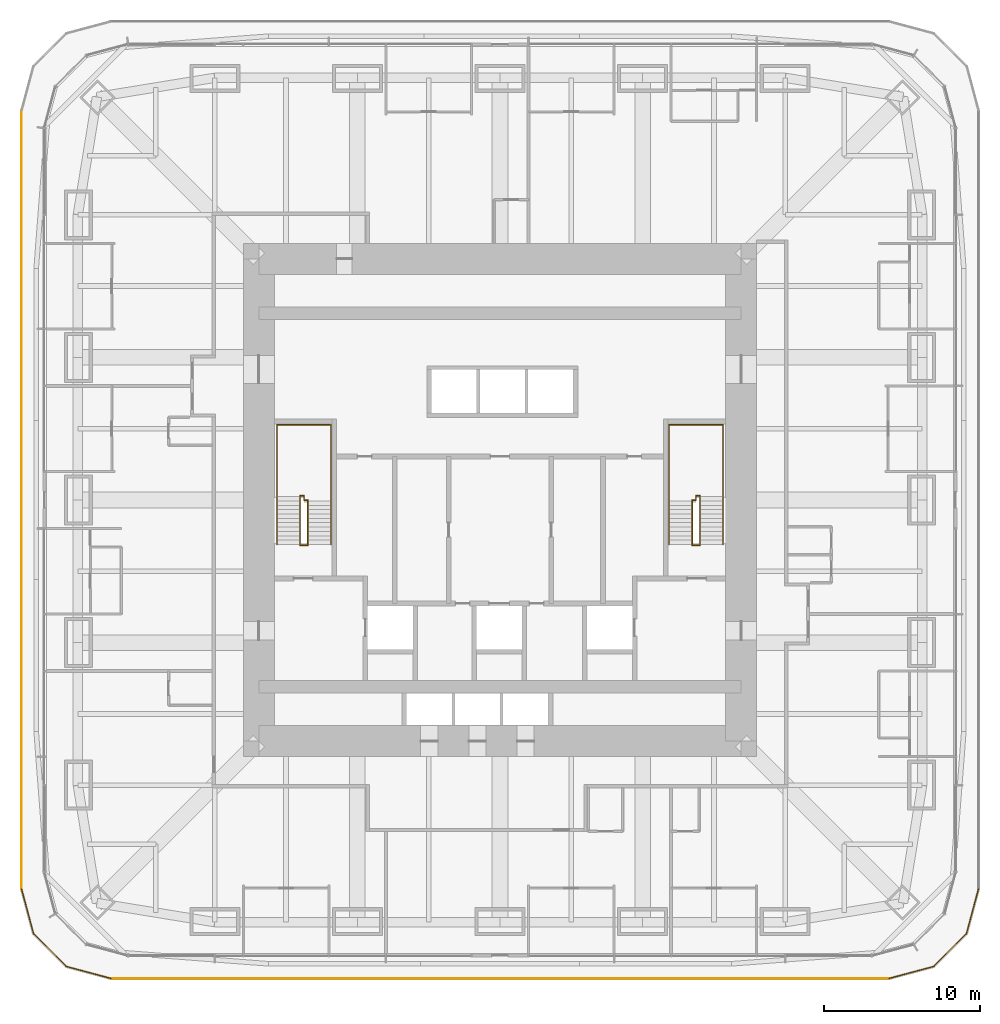
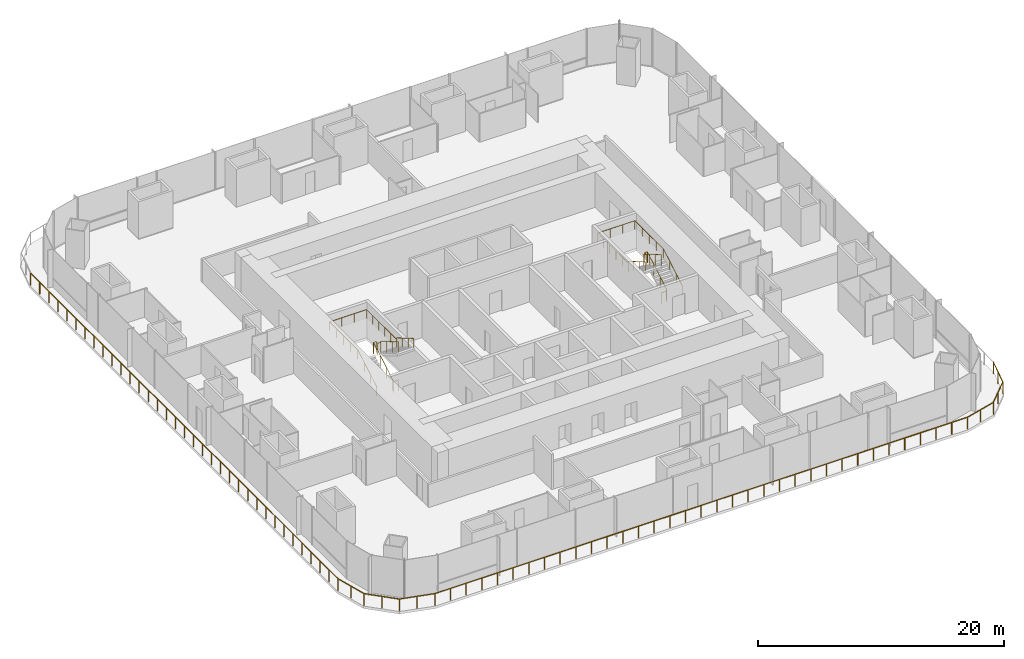
# One storey, part 15 of 16: 8 railings.
"""IFC4 building model written with IfcOpenShell, lengths in metres."""

from ifc_helpers import new_model, si_unit, direction, frame, origin, origin_2d, place, context, subcontext, project, spatial, circle, extrude, material, type_object, element, save


model = new_model("IFC4")

# Units and contexts
model_context = context("Model", 3, precision=1e-05, world=origin(), true_north=direction((0.0, 1.0)))
body_context = subcontext(model_context, "Body", "Model", "MODEL_VIEW")
ifc_project = project(units=[si_unit("LENGTHUNIT", "METRE"), si_unit("AREAUNIT", "SQUARE_METRE"), si_unit("VOLUMEUNIT", "CUBIC_METRE"), si_unit("PLANEANGLEUNIT", "RADIAN"), si_unit("MASSUNIT", "GRAM", prefix="KILO")], contexts=[model_context])

# Site, building, storey
site_placement = place(None, origin())
site = spatial("IfcSite", under=ifc_project, at=site_placement, CompositionType="ELEMENT")
building_placement = place(site_placement, origin())
building = spatial("IfcBuilding", under=site, at=building_placement, Name="Khuree Lantern Residences", CompositionType="ELEMENT")
storey_placement = place(building_placement, frame((0.0, 0.0, 107.25)))
storey = spatial("IfcBuildingStorey", under=building, at=storey_placement, Name="L26", CompositionType="ELEMENT", Elevation=107.25)

# Railings
ifc_material_1 = material(Name="Steel S355", Category="steel")
railing_type_1 = type_object("IfcRailingType", Name="STAIR GUARD G1 1100", PredefinedType="GUARDRAIL", material=ifc_material_1)
railing_1_placement = place(storey_placement, frame((-12.35009765625, -2.909912109375, 0.0)))
element("IfcRailing", 1, at=railing_1_placement, inside=storey, type_object=railing_type_1, Name="Stair ST1 guard", PredefinedType="GUARDRAIL", context=body_context, shape_type="SweptSolid", body=[
    extrude(circle(Radius=0.02392578125, at=origin_2d()), frame((0.0, 0.0, 1.076171875), z_axis=(-1.0, 0.0, 0.0), x_axis=(0.0, -1.0, 0.0)), (0.0, 0.0, 1.0), 0.5),
    extrude(circle(Radius=0.02392578125, at=origin_2d()), frame((-0.5, 0.0, 1.076171875), z_axis=(0.0, 0.292073035251, 0.95639601739), x_axis=(-1.0, 0.0, 0.0)), (0.0, 0.0, 1.0), 0.17041015625),
    extrude(circle(Radius=0.02392578125, at=origin_2d()), frame((-0.5, 0.0498046875, 1.2392578125), z_axis=(0.0, 0.864176135923, 0.503189433615), x_axis=(-1.0, 0.0, 0.0)), (0.0, 0.0, 1.0), 3.564208984375),
    extrude(circle(Radius=0.02392578125, at=origin_2d()), frame((-0.5, 3.1298828125, 3.03271484375), z_axis=(0.0, 1.0, 0.0), x_axis=(-1.0, 0.0, 0.0)), (0.0, 0.0, 1.0), 0.050048828125),
    extrude(circle(Radius=0.02392578125, at=origin_2d()), frame((-0.5, 3.179931640625, 3.03271484375), z_axis=(1.0, 0.0, 0.0), x_axis=(0.0, 1.0, 0.0)), (0.0, 0.0, 1.0), 0.25),
    extrude(circle(Radius=0.02392578125, at=origin_2d()), frame((-0.25, 3.179931640625, 3.03271484375), z_axis=(0.0, -1.0, 0.0), x_axis=(1.0, 0.0, 0.0)), (0.0, 0.0, 1.0), 0.280029296875),
    extrude(circle(Radius=0.02392578125, at=origin_2d()), frame((-0.25, 2.89990234375, 3.03271484375), z_axis=(1.0, 0.0, 0.0), x_axis=(0.0, 1.0, 0.0)), (0.0, 0.0, 1.0), 0.25),
    extrude(circle(Radius=0.02392578125, at=origin_2d()), frame((0.0, 2.89990234375, 3.03271484375), z_axis=(0.0, -0.293381807449, 0.955995353053), x_axis=(1.0, 0.0, 0.0)), (0.0, 0.0, 1.0), 0.170654296875),
    extrude(circle(Radius=0.02392578125, at=origin_2d()), frame((0.0, 2.849853515625, 3.19580078125), z_axis=(0.0, -0.864180358799, 0.503182181189), x_axis=(1.0, 0.0, 0.0)), (0.0, 0.0, 1.0), 3.240234375),
    extrude(circle(Radius=0.02099609375, at=origin_2d()), origin(), (0.0, 0.0, 1.0), 1.052001953125),
    extrude(circle(Radius=0.02099609375, at=origin_2d()), frame((-0.5, 0.0, 0.0)), (0.0, 0.0, 1.0), 1.052001953125),
    extrude(circle(Radius=0.02099609375, at=origin_2d()), frame((-0.5, 0.0498046875, 0.1630859375)), (0.0, 0.0, 1.0), 1.052001953125),
    extrude(circle(Radius=0.02099609375, at=origin_2d()), frame((-0.5, 1.076416015625, 0.760986328125)), (0.0, 0.0, 1.0), 1.052001953125),
    extrude(circle(Radius=0.02099609375, at=origin_2d()), frame((-0.5, 2.103271484375, 1.358642578125)), (0.0, 0.0, 1.0), 1.052001953125),
    extrude(circle(Radius=0.02099609375, at=origin_2d()), frame((-0.5, 3.1298828125, 1.95654296875)), (0.0, 0.0, 1.0), 1.052001953125),
    extrude(circle(Radius=0.02099609375, at=origin_2d()), frame((-0.5, 3.179931640625, 1.95654296875)), (0.0, 0.0, 1.0), 1.052001953125),
    extrude(circle(Radius=0.02099609375, at=origin_2d()), frame((-0.25, 3.179931640625, 1.95654296875)), (0.0, 0.0, 1.0), 1.052001953125),
    extrude(circle(Radius=0.02099609375, at=origin_2d()), frame((-0.25, 2.89990234375, 1.95654296875)), (0.0, 0.0, 1.0), 1.052001953125),
    extrude(circle(Radius=0.02099609375, at=origin_2d()), frame((0.0, 2.89990234375, 1.95654296875)), (0.0, 0.0, 1.0), 1.052001953125),
    extrude(circle(Radius=0.02099609375, at=origin_2d()), frame((0.0, 2.849853515625, 2.11962890625)), (0.0, 0.0, 1.0), 1.052001953125),
    extrude(circle(Radius=0.02099609375, at=origin_2d()), frame((0.0, 1.91650390625, 2.6630859375)), (0.0, 0.0, 1.0), 1.052001953125),
    extrude(circle(Radius=0.02099609375, at=origin_2d()), frame((0.0, 0.983154296875, 3.20654296875)), (0.0, 0.0, 1.0), 1.052001953125),
    extrude(circle(Radius=0.02099609375, at=origin_2d()), frame((0.0, 0.0498046875, 3.75)), (0.0, 0.0, 1.0), 1.052001953125),
])
railing_2_placement = place(storey_placement, frame((12.35009765625, -2.909912109375, 0.0)))
element("IfcRailing", 2, at=railing_2_placement, inside=storey, type_object=railing_type_1, Name="Stair ST2 guard", PredefinedType="GUARDRAIL", context=body_context, shape_type="SweptSolid", body=[
    extrude(circle(Radius=0.02392578125, at=origin_2d()), frame((0.0, 0.0, 1.076171875), z_axis=(1.0, 0.0, 0.0), x_axis=(0.0, 1.0, 0.0)), (0.0, 0.0, 1.0), 0.5),
    extrude(circle(Radius=0.02392578125, at=origin_2d()), frame((0.5, 0.0, 1.076171875), z_axis=(0.0, 0.292073035251, 0.95639601739), x_axis=(-1.0, 0.0, 0.0)), (0.0, 0.0, 1.0), 0.17041015625),
    extrude(circle(Radius=0.02392578125, at=origin_2d()), frame((0.5, 0.0498046875, 1.2392578125), z_axis=(0.0, 0.864176135923, 0.503189433615), x_axis=(-1.0, 0.0, 0.0)), (0.0, 0.0, 1.0), 3.564208984375),
    extrude(circle(Radius=0.02392578125, at=origin_2d()), frame((0.5, 3.1298828125, 3.03271484375), z_axis=(0.0, 1.0, 0.0), x_axis=(-1.0, 0.0, 0.0)), (0.0, 0.0, 1.0), 0.050048828125),
    extrude(circle(Radius=0.02392578125, at=origin_2d()), frame((0.5, 3.179931640625, 3.03271484375), z_axis=(-1.0, 0.0, 0.0), x_axis=(0.0, -1.0, 0.0)), (0.0, 0.0, 1.0), 0.25),
    extrude(circle(Radius=0.02392578125, at=origin_2d()), frame((0.25, 3.179931640625, 3.03271484375), z_axis=(0.0, -1.0, 0.0), x_axis=(1.0, 0.0, 0.0)), (0.0, 0.0, 1.0), 0.280029296875),
    extrude(circle(Radius=0.02392578125, at=origin_2d()), frame((0.25, 2.89990234375, 3.03271484375), z_axis=(-1.0, 0.0, 0.0), x_axis=(0.0, -1.0, 0.0)), (0.0, 0.0, 1.0), 0.25),
    extrude(circle(Radius=0.02392578125, at=origin_2d()), frame((0.0, 2.89990234375, 3.03271484375), z_axis=(0.0, -0.293381807449, 0.955995353053), x_axis=(1.0, 0.0, 0.0)), (0.0, 0.0, 1.0), 0.170654296875),
    extrude(circle(Radius=0.02392578125, at=origin_2d()), frame((0.0, 2.849853515625, 3.19580078125), z_axis=(0.0, -0.864180358799, 0.503182181189), x_axis=(1.0, 0.0, 0.0)), (0.0, 0.0, 1.0), 3.240234375),
    extrude(circle(Radius=0.02099609375, at=origin_2d()), origin(), (0.0, 0.0, 1.0), 1.052001953125),
    extrude(circle(Radius=0.02099609375, at=origin_2d()), frame((0.5, 0.0, 0.0)), (0.0, 0.0, 1.0), 1.052001953125),
    extrude(circle(Radius=0.02099609375, at=origin_2d()), frame((0.5, 0.0498046875, 0.1630859375)), (0.0, 0.0, 1.0), 1.052001953125),
    extrude(circle(Radius=0.02099609375, at=origin_2d()), frame((0.5, 1.076416015625, 0.760986328125)), (0.0, 0.0, 1.0), 1.052001953125),
    extrude(circle(Radius=0.02099609375, at=origin_2d()), frame((0.5, 2.103271484375, 1.358642578125)), (0.0, 0.0, 1.0), 1.052001953125),
    extrude(circle(Radius=0.02099609375, at=origin_2d()), frame((0.5, 3.1298828125, 1.95654296875)), (0.0, 0.0, 1.0), 1.052001953125),
    extrude(circle(Radius=0.02099609375, at=origin_2d()), frame((0.5, 3.179931640625, 1.95654296875)), (0.0, 0.0, 1.0), 1.052001953125),
    extrude(circle(Radius=0.02099609375, at=origin_2d()), frame((0.25, 3.179931640625, 1.95654296875)), (0.0, 0.0, 1.0), 1.052001953125),
    extrude(circle(Radius=0.02099609375, at=origin_2d()), frame((0.25, 2.89990234375, 1.95654296875)), (0.0, 0.0, 1.0), 1.052001953125),
    extrude(circle(Radius=0.02099609375, at=origin_2d()), frame((0.0, 2.89990234375, 1.95654296875)), (0.0, 0.0, 1.0), 1.052001953125),
    extrude(circle(Radius=0.02099609375, at=origin_2d()), frame((0.0, 2.849853515625, 2.11962890625)), (0.0, 0.0, 1.0), 1.052001953125),
    extrude(circle(Radius=0.02099609375, at=origin_2d()), frame((0.0, 1.91650390625, 2.6630859375)), (0.0, 0.0, 1.0), 1.052001953125),
    extrude(circle(Radius=0.02099609375, at=origin_2d()), frame((0.0, 0.983154296875, 3.20654296875)), (0.0, 0.0, 1.0), 1.052001953125),
    extrude(circle(Radius=0.02099609375, at=origin_2d()), frame((0.0, 0.0498046875, 3.75)), (0.0, 0.0, 1.0), 1.052001953125),
])
railing_type_2 = type_object("IfcRailingType", Name="STAIR HANDRAIL H1 900", PredefinedType="HANDRAIL", material=ifc_material_1)
railing_3_placement = place(storey_placement, frame((-14.340087890625, -2.860107421875, 0.1630859375)))
element("IfcRailing", 3, at=railing_3_placement, inside=storey, type_object=railing_type_2, Name="Stair ST1 handrail", PredefinedType="HANDRAIL", context=body_context, shape_type="SweptSolid", body=[
    extrude(circle(Radius=0.02392578125, at=origin_2d()), frame((0.0, 0.0, 0.8759765625), z_axis=(0.0, 0.864176135923, 0.503189433615), x_axis=(-1.0, 0.0, 0.0)), (0.0, 0.0, 1.0), 3.564208984375),
    extrude(circle(Radius=0.02392578125, at=origin_2d()), frame((0.0, 3.080078125, 2.66943359375), z_axis=(0.0, 1.0, 0.0), x_axis=(-1.0, 0.0, 0.0)), (0.0, 0.0, 1.0), 4.6201171875),
    extrude(circle(Radius=0.02392578125, at=origin_2d()), frame((0.0, 7.7001953125, 2.66943359375), z_axis=(1.0, 0.0, 0.0), x_axis=(0.0, 1.0, 0.0)), (0.0, 0.0, 1.0), 3.47998046875),
    extrude(circle(Radius=0.02392578125, at=origin_2d()), frame((3.47998046875, 7.7001953125, 2.66943359375), z_axis=(0.0, -1.0, 0.0), x_axis=(1.0, 0.0, 0.0)), (0.0, 0.0, 1.0), 4.900146484375),
    extrude(circle(Radius=0.02392578125, at=origin_2d()), frame((3.47998046875, 2.800048828125, 2.66943359375), z_axis=(0.0, 0.0, 1.0), x_axis=(1.0, 0.0, 0.0)), (0.0, 0.0, 1.0), 0.1630859375),
    extrude(circle(Radius=0.02392578125, at=origin_2d()), frame((3.47998046875, 2.800048828125, 2.83251953125), z_axis=(0.0, -0.864180358799, 0.503182181189), x_axis=(1.0, 0.0, 0.0)), (0.0, 0.0, 1.0), 3.240234375),
    extrude(circle(Radius=0.02099609375, at=origin_2d()), origin(), (0.0, 0.0, 1.0), 0.851806640625),
    extrude(circle(Radius=0.02099609375, at=origin_2d()), frame((0.0, 1.026611328125, 0.597900390625)), (0.0, 0.0, 1.0), 0.851806640625),
    extrude(circle(Radius=0.02099609375, at=origin_2d()), frame((0.0, 2.053466796875, 1.195556640625)), (0.0, 0.0, 1.0), 0.851806640625),
    extrude(circle(Radius=0.02099609375, at=origin_2d()), frame((0.0, 3.080078125, 1.79345703125)), (0.0, 0.0, 1.0), 0.851806640625),
    extrude(circle(Radius=0.02099609375, at=origin_2d()), frame((0.0, 4.235107421875, 1.79345703125)), (0.0, 0.0, 1.0), 0.851806640625),
    extrude(circle(Radius=0.02099609375, at=origin_2d()), frame((0.0, 5.39013671875, 1.79345703125)), (0.0, 0.0, 1.0), 0.851806640625),
    extrude(circle(Radius=0.02099609375, at=origin_2d()), frame((0.0, 6.545166015625, 1.79345703125)), (0.0, 0.0, 1.0), 0.851806640625),
    extrude(circle(Radius=0.02099609375, at=origin_2d()), frame((0.0, 7.7001953125, 1.79345703125)), (0.0, 0.0, 1.0), 0.851806640625),
    extrude(circle(Radius=0.02099609375, at=origin_2d()), frame((1.159912109375, 7.7001953125, 1.79345703125)), (0.0, 0.0, 1.0), 0.851806640625),
    extrude(circle(Radius=0.02099609375, at=origin_2d()), frame((2.320068359375, 7.7001953125, 1.79345703125)), (0.0, 0.0, 1.0), 0.851806640625),
    extrude(circle(Radius=0.02099609375, at=origin_2d()), frame((3.47998046875, 7.7001953125, 1.79345703125)), (0.0, 0.0, 1.0), 0.851806640625),
    extrude(circle(Radius=0.02099609375, at=origin_2d()), frame((3.47998046875, 6.72021484375, 1.79345703125)), (0.0, 0.0, 1.0), 0.851806640625),
    extrude(circle(Radius=0.02099609375, at=origin_2d()), frame((3.47998046875, 5.740234375, 1.79345703125)), (0.0, 0.0, 1.0), 0.851806640625),
    extrude(circle(Radius=0.02099609375, at=origin_2d()), frame((3.47998046875, 4.760009765625, 1.79345703125)), (0.0, 0.0, 1.0), 0.851806640625),
    extrude(circle(Radius=0.02099609375, at=origin_2d()), frame((3.47998046875, 3.780029296875, 1.79345703125)), (0.0, 0.0, 1.0), 0.851806640625),
    extrude(circle(Radius=0.02099609375, at=origin_2d()), frame((3.47998046875, 2.800048828125, 1.79345703125)), (0.0, 0.0, 1.0), 0.851806640625),
    extrude(circle(Radius=0.02099609375, at=origin_2d()), frame((3.47998046875, 2.800048828125, 1.95654296875)), (0.0, 0.0, 1.0), 0.851806640625),
    extrude(circle(Radius=0.02099609375, at=origin_2d()), frame((3.47998046875, 1.86669921875, 2.5)), (0.0, 0.0, 1.0), 0.851806640625),
    extrude(circle(Radius=0.02099609375, at=origin_2d()), frame((3.47998046875, 0.933349609375, 3.04345703125)), (0.0, 0.0, 1.0), 0.851806640625),
    extrude(circle(Radius=0.02099609375, at=origin_2d()), frame((3.47998046875, 0.0, 3.5869140625)), (0.0, 0.0, 1.0), 0.851806640625),
])
railing_4_placement = place(storey_placement, frame((14.340087890625, -2.860107421875, 0.1630859375)))
element("IfcRailing", 4, at=railing_4_placement, inside=storey, type_object=railing_type_2, Name="Stair ST2 handrail", PredefinedType="HANDRAIL", context=body_context, shape_type="SweptSolid", body=[
    extrude(circle(Radius=0.02392578125, at=origin_2d()), frame((0.0, 0.0, 0.8759765625), z_axis=(0.0, 0.864176135923, 0.503189433615), x_axis=(-1.0, 0.0, 0.0)), (0.0, 0.0, 1.0), 3.564208984375),
    extrude(circle(Radius=0.02392578125, at=origin_2d()), frame((0.0, 3.080078125, 2.66943359375), z_axis=(0.0, 1.0, 0.0), x_axis=(-1.0, 0.0, 0.0)), (0.0, 0.0, 1.0), 4.6201171875),
    extrude(circle(Radius=0.02392578125, at=origin_2d()), frame((0.0, 7.7001953125, 2.66943359375), z_axis=(-1.0, 0.0, 0.0), x_axis=(0.0, -1.0, 0.0)), (0.0, 0.0, 1.0), 3.47998046875),
    extrude(circle(Radius=0.02392578125, at=origin_2d()), frame((-3.47998046875, 7.7001953125, 2.66943359375), z_axis=(0.0, -1.0, 0.0), x_axis=(1.0, 0.0, 0.0)), (0.0, 0.0, 1.0), 4.900146484375),
    extrude(circle(Radius=0.02392578125, at=origin_2d()), frame((-3.47998046875, 2.800048828125, 2.66943359375), z_axis=(0.0, 0.0, 1.0), x_axis=(1.0, 0.0, 0.0)), (0.0, 0.0, 1.0), 0.1630859375),
    extrude(circle(Radius=0.02392578125, at=origin_2d()), frame((-3.47998046875, 2.800048828125, 2.83251953125), z_axis=(0.0, -0.864180358799, 0.503182181189), x_axis=(1.0, 0.0, 0.0)), (0.0, 0.0, 1.0), 3.240234375),
    extrude(circle(Radius=0.02099609375, at=origin_2d()), origin(), (0.0, 0.0, 1.0), 0.851806640625),
    extrude(circle(Radius=0.02099609375, at=origin_2d()), frame((0.0, 1.026611328125, 0.597900390625)), (0.0, 0.0, 1.0), 0.851806640625),
    extrude(circle(Radius=0.02099609375, at=origin_2d()), frame((0.0, 2.053466796875, 1.195556640625)), (0.0, 0.0, 1.0), 0.851806640625),
    extrude(circle(Radius=0.02099609375, at=origin_2d()), frame((0.0, 3.080078125, 1.79345703125)), (0.0, 0.0, 1.0), 0.851806640625),
    extrude(circle(Radius=0.02099609375, at=origin_2d()), frame((0.0, 4.235107421875, 1.79345703125)), (0.0, 0.0, 1.0), 0.851806640625),
    extrude(circle(Radius=0.02099609375, at=origin_2d()), frame((0.0, 5.39013671875, 1.79345703125)), (0.0, 0.0, 1.0), 0.851806640625),
    extrude(circle(Radius=0.02099609375, at=origin_2d()), frame((0.0, 6.545166015625, 1.79345703125)), (0.0, 0.0, 1.0), 0.851806640625),
    extrude(circle(Radius=0.02099609375, at=origin_2d()), frame((0.0, 7.7001953125, 1.79345703125)), (0.0, 0.0, 1.0), 0.851806640625),
    extrude(circle(Radius=0.02099609375, at=origin_2d()), frame((-1.159912109375, 7.7001953125, 1.79345703125)), (0.0, 0.0, 1.0), 0.851806640625),
    extrude(circle(Radius=0.02099609375, at=origin_2d()), frame((-2.320068359375, 7.7001953125, 1.79345703125)), (0.0, 0.0, 1.0), 0.851806640625),
    extrude(circle(Radius=0.02099609375, at=origin_2d()), frame((-3.47998046875, 7.7001953125, 1.79345703125)), (0.0, 0.0, 1.0), 0.851806640625),
    extrude(circle(Radius=0.02099609375, at=origin_2d()), frame((-3.47998046875, 6.72021484375, 1.79345703125)), (0.0, 0.0, 1.0), 0.851806640625),
    extrude(circle(Radius=0.02099609375, at=origin_2d()), frame((-3.47998046875, 5.740234375, 1.79345703125)), (0.0, 0.0, 1.0), 0.851806640625),
    extrude(circle(Radius=0.02099609375, at=origin_2d()), frame((-3.47998046875, 4.760009765625, 1.79345703125)), (0.0, 0.0, 1.0), 0.851806640625),
    extrude(circle(Radius=0.02099609375, at=origin_2d()), frame((-3.47998046875, 3.780029296875, 1.79345703125)), (0.0, 0.0, 1.0), 0.851806640625),
    extrude(circle(Radius=0.02099609375, at=origin_2d()), frame((-3.47998046875, 2.800048828125, 1.79345703125)), (0.0, 0.0, 1.0), 0.851806640625),
    extrude(circle(Radius=0.02099609375, at=origin_2d()), frame((-3.47998046875, 2.800048828125, 1.95654296875)), (0.0, 0.0, 1.0), 0.851806640625),
    extrude(circle(Radius=0.02099609375, at=origin_2d()), frame((-3.47998046875, 1.86669921875, 2.5)), (0.0, 0.0, 1.0), 0.851806640625),
    extrude(circle(Radius=0.02099609375, at=origin_2d()), frame((-3.47998046875, 0.933349609375, 3.04345703125)), (0.0, 0.0, 1.0), 0.851806640625),
    extrude(circle(Radius=0.02099609375, at=origin_2d()), frame((-3.47998046875, 0.0, 3.5869140625)), (0.0, 0.0, 1.0), 0.851806640625),
])
ifc_material_2 = material(Name="Toughened laminated glass balustrade with bronze anodised aluminium top rail", Category="aluminium")
railing_type_3 = type_object("IfcRailingType", Name="TERRACE GUARD G1 1200", PredefinedType="GUARDRAIL", material=ifc_material_2)
railing_5_placement = place(storey_placement, frame((25.0, -30.75, 0.0)))
element("IfcRailing", 5, at=railing_5_placement, inside=storey, type_object=railing_type_3, Name="L26 SOUTH-EAST CORNER TERRACE GUARD", PredefinedType="GUARDRAIL", context=body_context, shape_type="SweptSolid", body=[
    extrude(circle(Radius=0.02392578125, at=origin_2d()), frame((0.0, 0.0, 1.17626953125), z_axis=(0.965933406887, 0.25879075227, 0.0), x_axis=(-0.25879075227, 0.965933406887, 0.0)), (0.0, 0.0, 1.0), 2.976318359375),
    extrude(circle(Radius=0.02392578125, at=origin_2d()), frame((2.875, 0.770263671875, 1.17626953125), z_axis=(0.707106781187, 0.707106781187, 0.0), x_axis=(-0.707106781187, 0.707106781187, 0.0)), (0.0, 0.0, 1.0), 2.9765625),
    extrude(circle(Radius=0.02392578125, at=origin_2d()), frame((4.979736328125, 2.875, 1.17626953125), z_axis=(0.25879075227, 0.965933406887, 0.0), x_axis=(-0.965933406887, 0.25879075227, 0.0)), (0.0, 0.0, 1.0), 2.976318359375),
    extrude(circle(Radius=0.02099609375, at=origin_2d()), origin(), (0.0, 0.0, 1.0), 1.152099609375),
    extrude(circle(Radius=0.02099609375, at=origin_2d()), frame((1.4375, 0.38525390625, 0.0)), (0.0, 0.0, 1.0), 1.152099609375),
    extrude(circle(Radius=0.02099609375, at=origin_2d()), frame((2.875, 0.770263671875, 0.0)), (0.0, 0.0, 1.0), 1.152099609375),
    extrude(circle(Radius=0.02099609375, at=origin_2d()), frame((3.92724609375, 1.82275390625, 0.0)), (0.0, 0.0, 1.0), 1.152099609375),
    extrude(circle(Radius=0.02099609375, at=origin_2d()), frame((4.979736328125, 2.875, 0.0)), (0.0, 0.0, 1.0), 1.152099609375),
    extrude(circle(Radius=0.02099609375, at=origin_2d()), frame((5.36474609375, 4.3125, 0.0)), (0.0, 0.0, 1.0), 1.152099609375),
    extrude(circle(Radius=0.02099609375, at=origin_2d()), frame((5.75, 5.75, 0.0)), (0.0, 0.0, 1.0), 1.152099609375),
])
railing_6_placement = place(storey_placement, frame((-30.75, 25.0, 0.0)))
element("IfcRailing", 6, at=railing_6_placement, inside=storey, type_object=railing_type_3, Name="L26 WEST FACE TERRACE GUARD", PredefinedType="GUARDRAIL", context=body_context, shape_type="SweptSolid", body=[
    extrude(circle(Radius=0.02392578125, at=origin_2d()), frame((0.0, 0.0, 1.17626953125), z_axis=(0.0, -1.0, 0.0), x_axis=(1.0, 0.0, 0.0)), (0.0, 0.0, 1.0), 50.0),
    extrude(circle(Radius=0.02099609375, at=origin_2d()), origin(), (0.0, 0.0, 1.0), 1.152099609375),
    extrude(circle(Radius=0.02099609375, at=origin_2d()), frame((0.0, -1.470703125, 0.0)), (0.0, 0.0, 1.0), 1.152099609375),
    extrude(circle(Radius=0.02099609375, at=origin_2d()), frame((0.0, -2.941162109375, 0.0)), (0.0, 0.0, 1.0), 1.152099609375),
    extrude(circle(Radius=0.02099609375, at=origin_2d()), frame((0.0, -4.411865234375, 0.0)), (0.0, 0.0, 1.0), 1.152099609375),
    extrude(circle(Radius=0.02099609375, at=origin_2d()), frame((0.0, -5.88232421875, 0.0)), (0.0, 0.0, 1.0), 1.152099609375),
    extrude(circle(Radius=0.02099609375, at=origin_2d()), frame((0.0, -7.35302734375, 0.0)), (0.0, 0.0, 1.0), 1.152099609375),
    extrude(circle(Radius=0.02099609375, at=origin_2d()), frame((0.0, -8.823486328125, 0.0)), (0.0, 0.0, 1.0), 1.152099609375),
    extrude(circle(Radius=0.02099609375, at=origin_2d()), frame((0.0, -10.294189453125, 0.0)), (0.0, 0.0, 1.0), 1.152099609375),
    extrude(circle(Radius=0.02099609375, at=origin_2d()), frame((0.0, -11.7646484375, 0.0)), (0.0, 0.0, 1.0), 1.152099609375),
    extrude(circle(Radius=0.02099609375, at=origin_2d()), frame((0.0, -13.2353515625, 0.0)), (0.0, 0.0, 1.0), 1.152099609375),
    extrude(circle(Radius=0.02099609375, at=origin_2d()), frame((0.0, -14.705810546875, 0.0)), (0.0, 0.0, 1.0), 1.152099609375),
    extrude(circle(Radius=0.02099609375, at=origin_2d()), frame((0.0, -16.176513671875, 0.0)), (0.0, 0.0, 1.0), 1.152099609375),
    extrude(circle(Radius=0.02099609375, at=origin_2d()), frame((0.0, -17.64697265625, 0.0)), (0.0, 0.0, 1.0), 1.152099609375),
    extrude(circle(Radius=0.02099609375, at=origin_2d()), frame((0.0, -19.11767578125, 0.0)), (0.0, 0.0, 1.0), 1.152099609375),
    extrude(circle(Radius=0.02099609375, at=origin_2d()), frame((0.0, -20.588134765625, 0.0)), (0.0, 0.0, 1.0), 1.152099609375),
    extrude(circle(Radius=0.02099609375, at=origin_2d()), frame((0.0, -22.058837890625, 0.0)), (0.0, 0.0, 1.0), 1.152099609375),
    extrude(circle(Radius=0.02099609375, at=origin_2d()), frame((0.0, -23.529296875, 0.0)), (0.0, 0.0, 1.0), 1.152099609375),
    extrude(circle(Radius=0.02099609375, at=origin_2d()), frame((0.0, -25.0, 0.0)), (0.0, 0.0, 1.0), 1.152099609375),
    extrude(circle(Radius=0.02099609375, at=origin_2d()), frame((0.0, -26.470703125, 0.0)), (0.0, 0.0, 1.0), 1.152099609375),
    extrude(circle(Radius=0.02099609375, at=origin_2d()), frame((0.0, -27.941162109375, 0.0)), (0.0, 0.0, 1.0), 1.152099609375),
    extrude(circle(Radius=0.02099609375, at=origin_2d()), frame((0.0, -29.411865234375, 0.0)), (0.0, 0.0, 1.0), 1.152099609375),
    extrude(circle(Radius=0.02099609375, at=origin_2d()), frame((0.0, -30.88232421875, 0.0)), (0.0, 0.0, 1.0), 1.152099609375),
    extrude(circle(Radius=0.02099609375, at=origin_2d()), frame((0.0, -32.35302734375, 0.0)), (0.0, 0.0, 1.0), 1.152099609375),
    extrude(circle(Radius=0.02099609375, at=origin_2d()), frame((0.0, -33.823486328125, 0.0)), (0.0, 0.0, 1.0), 1.152099609375),
    extrude(circle(Radius=0.02099609375, at=origin_2d()), frame((0.0, -35.294189453125, 0.0)), (0.0, 0.0, 1.0), 1.152099609375),
    extrude(circle(Radius=0.02099609375, at=origin_2d()), frame((0.0, -36.7646484375, 0.0)), (0.0, 0.0, 1.0), 1.152099609375),
    extrude(circle(Radius=0.02099609375, at=origin_2d()), frame((0.0, -38.2353515625, 0.0)), (0.0, 0.0, 1.0), 1.152099609375),
    extrude(circle(Radius=0.02099609375, at=origin_2d()), frame((0.0, -39.705810546875, 0.0)), (0.0, 0.0, 1.0), 1.152099609375),
    extrude(circle(Radius=0.02099609375, at=origin_2d()), frame((0.0, -41.176513671875, 0.0)), (0.0, 0.0, 1.0), 1.152099609375),
    extrude(circle(Radius=0.02099609375, at=origin_2d()), frame((0.0, -42.64697265625, 0.0)), (0.0, 0.0, 1.0), 1.152099609375),
    extrude(circle(Radius=0.02099609375, at=origin_2d()), frame((0.0, -44.11767578125, 0.0)), (0.0, 0.0, 1.0), 1.152099609375),
    extrude(circle(Radius=0.02099609375, at=origin_2d()), frame((0.0, -45.588134765625, 0.0)), (0.0, 0.0, 1.0), 1.152099609375),
    extrude(circle(Radius=0.02099609375, at=origin_2d()), frame((0.0, -47.058837890625, 0.0)), (0.0, 0.0, 1.0), 1.152099609375),
    extrude(circle(Radius=0.02099609375, at=origin_2d()), frame((0.0, -48.529296875, 0.0)), (0.0, 0.0, 1.0), 1.152099609375),
    extrude(circle(Radius=0.02099609375, at=origin_2d()), frame((0.0, -50.0, 0.0)), (0.0, 0.0, 1.0), 1.152099609375),
])
railing_7_placement = place(storey_placement, frame((-30.75, -25.0, 0.0)))
element("IfcRailing", 7, at=railing_7_placement, inside=storey, type_object=railing_type_3, Name="L26 SOUTH-WEST CORNER TERRACE GUARD", PredefinedType="GUARDRAIL", context=body_context, shape_type="SweptSolid", body=[
    extrude(circle(Radius=0.02392578125, at=origin_2d()), frame((0.0, 0.0, 1.17626953125), z_axis=(0.25879075227, -0.965933406887, 0.0), x_axis=(0.965933406887, 0.25879075227, 0.0)), (0.0, 0.0, 1.0), 2.976318359375),
    extrude(circle(Radius=0.02392578125, at=origin_2d()), frame((0.770263671875, -2.875, 1.17626953125), z_axis=(0.707106781187, -0.707106781187, 0.0), x_axis=(0.707106781187, 0.707106781187, 0.0)), (0.0, 0.0, 1.0), 2.9765625),
    extrude(circle(Radius=0.02392578125, at=origin_2d()), frame((2.875, -4.979736328125, 1.17626953125), z_axis=(0.965933406887, -0.25879075227, 0.0), x_axis=(0.25879075227, 0.965933406887, 0.0)), (0.0, 0.0, 1.0), 2.976318359375),
    extrude(circle(Radius=0.02099609375, at=origin_2d()), origin(), (0.0, 0.0, 1.0), 1.152099609375),
    extrude(circle(Radius=0.02099609375, at=origin_2d()), frame((0.38525390625, -1.4375, 0.0)), (0.0, 0.0, 1.0), 1.152099609375),
    extrude(circle(Radius=0.02099609375, at=origin_2d()), frame((0.770263671875, -2.875, 0.0)), (0.0, 0.0, 1.0), 1.152099609375),
    extrude(circle(Radius=0.02099609375, at=origin_2d()), frame((1.82275390625, -3.92724609375, 0.0)), (0.0, 0.0, 1.0), 1.152099609375),
    extrude(circle(Radius=0.02099609375, at=origin_2d()), frame((2.875, -4.979736328125, 0.0)), (0.0, 0.0, 1.0), 1.152099609375),
    extrude(circle(Radius=0.02099609375, at=origin_2d()), frame((4.3125, -5.36474609375, 0.0)), (0.0, 0.0, 1.0), 1.152099609375),
    extrude(circle(Radius=0.02099609375, at=origin_2d()), frame((5.75, -5.75, 0.0)), (0.0, 0.0, 1.0), 1.152099609375),
])
railing_8_placement = place(storey_placement, frame((-25.0, -30.75, 0.0)))
element("IfcRailing", 8, at=railing_8_placement, inside=storey, type_object=railing_type_3, Name="L26 SOUTH FACE TERRACE GUARD", PredefinedType="GUARDRAIL", context=body_context, shape_type="SweptSolid", body=[
    extrude(circle(Radius=0.02392578125, at=origin_2d()), frame((0.0, 0.0, 1.17626953125), z_axis=(1.0, 0.0, 0.0), x_axis=(0.0, 1.0, 0.0)), (0.0, 0.0, 1.0), 50.0),
    extrude(circle(Radius=0.02099609375, at=origin_2d()), origin(), (0.0, 0.0, 1.0), 1.152099609375),
    extrude(circle(Radius=0.02099609375, at=origin_2d()), frame((1.470703125, 0.0, 0.0)), (0.0, 0.0, 1.0), 1.152099609375),
    extrude(circle(Radius=0.02099609375, at=origin_2d()), frame((2.941162109375, 0.0, 0.0)), (0.0, 0.0, 1.0), 1.152099609375),
    extrude(circle(Radius=0.02099609375, at=origin_2d()), frame((4.411865234375, 0.0, 0.0)), (0.0, 0.0, 1.0), 1.152099609375),
    extrude(circle(Radius=0.02099609375, at=origin_2d()), frame((5.88232421875, 0.0, 0.0)), (0.0, 0.0, 1.0), 1.152099609375),
    extrude(circle(Radius=0.02099609375, at=origin_2d()), frame((7.35302734375, 0.0, 0.0)), (0.0, 0.0, 1.0), 1.152099609375),
    extrude(circle(Radius=0.02099609375, at=origin_2d()), frame((8.823486328125, 0.0, 0.0)), (0.0, 0.0, 1.0), 1.152099609375),
    extrude(circle(Radius=0.02099609375, at=origin_2d()), frame((10.294189453125, 0.0, 0.0)), (0.0, 0.0, 1.0), 1.152099609375),
    extrude(circle(Radius=0.02099609375, at=origin_2d()), frame((11.7646484375, 0.0, 0.0)), (0.0, 0.0, 1.0), 1.152099609375),
    extrude(circle(Radius=0.02099609375, at=origin_2d()), frame((13.2353515625, 0.0, 0.0)), (0.0, 0.0, 1.0), 1.152099609375),
    extrude(circle(Radius=0.02099609375, at=origin_2d()), frame((14.705810546875, 0.0, 0.0)), (0.0, 0.0, 1.0), 1.152099609375),
    extrude(circle(Radius=0.02099609375, at=origin_2d()), frame((16.176513671875, 0.0, 0.0)), (0.0, 0.0, 1.0), 1.152099609375),
    extrude(circle(Radius=0.02099609375, at=origin_2d()), frame((17.64697265625, 0.0, 0.0)), (0.0, 0.0, 1.0), 1.152099609375),
    extrude(circle(Radius=0.02099609375, at=origin_2d()), frame((19.11767578125, 0.0, 0.0)), (0.0, 0.0, 1.0), 1.152099609375),
    extrude(circle(Radius=0.02099609375, at=origin_2d()), frame((20.588134765625, 0.0, 0.0)), (0.0, 0.0, 1.0), 1.152099609375),
    extrude(circle(Radius=0.02099609375, at=origin_2d()), frame((22.058837890625, 0.0, 0.0)), (0.0, 0.0, 1.0), 1.152099609375),
    extrude(circle(Radius=0.02099609375, at=origin_2d()), frame((23.529296875, 0.0, 0.0)), (0.0, 0.0, 1.0), 1.152099609375),
    extrude(circle(Radius=0.02099609375, at=origin_2d()), frame((25.0, 0.0, 0.0)), (0.0, 0.0, 1.0), 1.152099609375),
    extrude(circle(Radius=0.02099609375, at=origin_2d()), frame((26.470703125, 0.0, 0.0)), (0.0, 0.0, 1.0), 1.152099609375),
    extrude(circle(Radius=0.02099609375, at=origin_2d()), frame((27.941162109375, 0.0, 0.0)), (0.0, 0.0, 1.0), 1.152099609375),
    extrude(circle(Radius=0.02099609375, at=origin_2d()), frame((29.411865234375, 0.0, 0.0)), (0.0, 0.0, 1.0), 1.152099609375),
    extrude(circle(Radius=0.02099609375, at=origin_2d()), frame((30.88232421875, 0.0, 0.0)), (0.0, 0.0, 1.0), 1.152099609375),
    extrude(circle(Radius=0.02099609375, at=origin_2d()), frame((32.35302734375, 0.0, 0.0)), (0.0, 0.0, 1.0), 1.152099609375),
    extrude(circle(Radius=0.02099609375, at=origin_2d()), frame((33.823486328125, 0.0, 0.0)), (0.0, 0.0, 1.0), 1.152099609375),
    extrude(circle(Radius=0.02099609375, at=origin_2d()), frame((35.294189453125, 0.0, 0.0)), (0.0, 0.0, 1.0), 1.152099609375),
    extrude(circle(Radius=0.02099609375, at=origin_2d()), frame((36.7646484375, 0.0, 0.0)), (0.0, 0.0, 1.0), 1.152099609375),
    extrude(circle(Radius=0.02099609375, at=origin_2d()), frame((38.2353515625, 0.0, 0.0)), (0.0, 0.0, 1.0), 1.152099609375),
    extrude(circle(Radius=0.02099609375, at=origin_2d()), frame((39.705810546875, 0.0, 0.0)), (0.0, 0.0, 1.0), 1.152099609375),
    extrude(circle(Radius=0.02099609375, at=origin_2d()), frame((41.176513671875, 0.0, 0.0)), (0.0, 0.0, 1.0), 1.152099609375),
    extrude(circle(Radius=0.02099609375, at=origin_2d()), frame((42.64697265625, 0.0, 0.0)), (0.0, 0.0, 1.0), 1.152099609375),
    extrude(circle(Radius=0.02099609375, at=origin_2d()), frame((44.11767578125, 0.0, 0.0)), (0.0, 0.0, 1.0), 1.152099609375),
    extrude(circle(Radius=0.02099609375, at=origin_2d()), frame((45.588134765625, 0.0, 0.0)), (0.0, 0.0, 1.0), 1.152099609375),
    extrude(circle(Radius=0.02099609375, at=origin_2d()), frame((47.058837890625, 0.0, 0.0)), (0.0, 0.0, 1.0), 1.152099609375),
    extrude(circle(Radius=0.02099609375, at=origin_2d()), frame((48.529296875, 0.0, 0.0)), (0.0, 0.0, 1.0), 1.152099609375),
    extrude(circle(Radius=0.02099609375, at=origin_2d()), frame((50.0, 0.0, 0.0)), (0.0, 0.0, 1.0), 1.152099609375),
])

save(model, "model.ifc")
